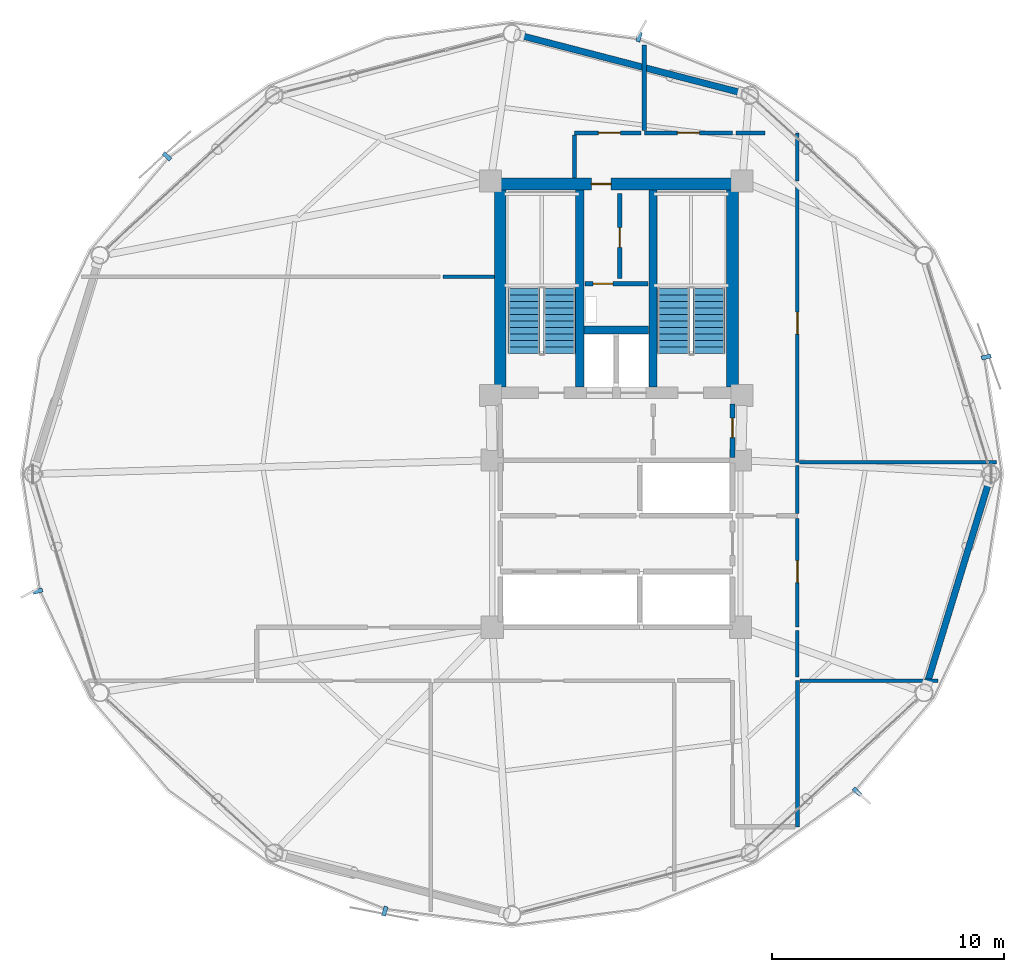
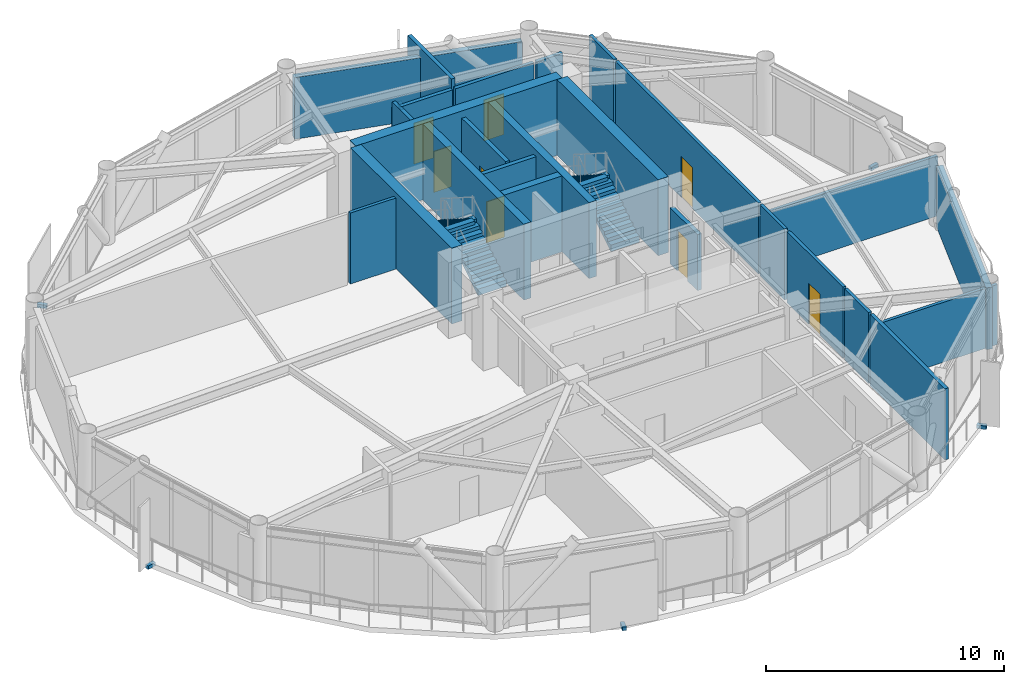
# One storey, part 22 of 25: 25 walls, 8 doors, 6 discrete accessories, 4 stair flights, 8 openings, 2 elements without a shape of their own.
"""IFC4 building model written with IfcOpenShell, lengths in metres."""

from ifc_helpers import new_model, si_unit, direction, frame, frame_2d, origin, origin_2d, place, context, subcontext, project, spatial, polyline, rectangle, outline, extrude, source, transform, mapped, material, layer, layer_set, type_object, type_shapes, element, fill, aggregate, save


model = new_model("IFC4")

# Units and contexts
model_context = context("Model", 3, precision=1e-05, world=origin(), true_north=direction((0.0, 1.0)))
body_context = subcontext(model_context, "Body", "Model", "MODEL_VIEW")
ifc_project = project(units=[si_unit("LENGTHUNIT", "METRE"), si_unit("AREAUNIT", "SQUARE_METRE"), si_unit("VOLUMEUNIT", "CUBIC_METRE"), si_unit("PLANEANGLEUNIT", "RADIAN"), si_unit("MASSUNIT", "GRAM", prefix="KILO")], contexts=[model_context])

# Site, building, storey
site_placement = place(None, origin())
site = spatial("IfcSite", under=ifc_project, at=site_placement, CompositionType="ELEMENT")
building_placement = place(site_placement, origin())
building = spatial("IfcBuilding", under=site, at=building_placement, Name="Varnakorn Sky Granary", CompositionType="ELEMENT")
storey_placement = place(building_placement, frame((0.0, 0.0, 157.800048828125)))
storey = spatial("IfcBuildingStorey", under=building, at=storey_placement, Name="L39", CompositionType="ELEMENT", Elevation=157.800048828125)

# Walls
ifc_material_1 = material(Name="Concrete C50/60", Category="concrete")
ifc_layer_1 = layer(ifc_material_1, 0.35009765625, Name="Concrete C50/60")
ifc_layer_set_1 = layer_set([ifc_layer_1], Name="Concrete C50/60")
wall_type_1 = type_object("IfcWallType", Name="WT-CW-INT-350", PredefinedType="SHEAR", material=ifc_layer_set_1)
for number, where, z_axis, x_axis, name in (
    (1, (1.419921875, 3.760009765625, 0.0), (0.0, 0.0, 1.0), (0.0, 1.0, 0.0), "Stair ST-1 Core Wall L39"),
    (2, (4.580078125, 3.760009765625, 0.0), (0.0, 0.0, 1.0), (0.0, 1.0, 0.0), "Stair ST-2 Core Wall L39"),
):
    element("IfcWall", number, at=place(storey_placement, frame(where, z_axis=z_axis, x_axis=x_axis)), inside=storey, type_object=wall_type_1, Name=name, PredefinedType="SHEAR", context=body_context, shape_type="SweptSolid", body=[
        extrude(rectangle(XDim=8.47998046875, YDim=0.35009765625, at=frame_2d((4.239990234375, 0.0))), origin(), (0.0, 0.0, 1.0), 3.891845703125),
    ])
wall_1_placement = place(storey_placement, frame((1.610107421875, 6.199951171875, 0.0), z_axis=(0.0, 0.0, 1.0), x_axis=(1.0, 0.0, 0.0)))
element("IfcWall", 3, at=wall_1_placement, inside=storey, type_object=wall_type_1, Name="Core Lift Shaft Cross Wall L39", PredefinedType="SHEAR", context=body_context, shape_type="SweptSolid", body=[
    extrude(rectangle(XDim=2.77978515625, YDim=0.35009765625, at=frame_2d((1.389892578125, 0.0))), origin(), (0.0, 0.0, 1.0), 3.891845703125),
])

# Wall, opening, door
ifc_material_2 = material(Name="Concrete C60/75", Category="concrete")
ifc_layer_2 = layer(ifc_material_2, 0.5, Name="Concrete C60/75")
ifc_layer_set_2 = layer_set([ifc_layer_2], Name="Concrete C60/75")
wall_type_2 = type_object("IfcWallType", Name="WT-CW-SHEAR-500", PredefinedType="SHEAR", material=ifc_layer_set_2)
wall_2_placement = place(storey_placement, frame((-2.0, 12.5, 0.0), z_axis=(0.0, 0.0, 1.0), x_axis=(1.0, 0.0, 0.0)))
wall_2 = element("IfcWall", 4, at=wall_2_placement, inside=storey, type_object=wall_type_2, Name="Core North Shear Wall L39", PredefinedType="SHEAR", context=body_context, shape_type="SweptSolid", body=[
    extrude(rectangle(XDim=10.0, YDim=0.5, at=frame_2d((5.0, 0.0))), origin(), (0.0, 0.0, 1.0), 3.891845703125),
])
opening_1_placement = place(wall_2_placement, frame((3.919921875, 0.0, 0.0)))
opening_1 = element("IfcOpeningElement", 5, at=opening_1_placement, cuts=wall_2, Name="Opening FD-60N", PredefinedType="OPENING", context=body_context, shape_type="SweptSolid", body=[
    extrude(rectangle(XDim=0.85009765625, YDim=2.10009765625, at=frame_2d((0.425048828125, 1.050048828125))), frame((0.0, 0.260009765625, 0.0), z_axis=(0.0, -1.0, 0.0), x_axis=(1.0, 0.0, 0.0)), (0.0, 0.0, 1.0), 0.52001953125),
])
ifc_material_3 = material(Name="Acoustic Timber Fire Leaf", Category="wood")
door_type_1 = type_object("IfcDoorType", Name="DR-FD60-850", OperationType="NOTDEFINED", PredefinedType="DOOR", material=ifc_material_3)
door_1_placement = place(opening_1_placement, origin())
door_1 = element("IfcDoor", 6, at=door_1_placement, inside=storey, type_object=door_type_1, Name="Core North Service Door L39", OperationType="SINGLE_SWING_LEFT", OverallHeight=2.10009765625, OverallWidth=0.85009765625, PredefinedType="DOOR", context=body_context, shape_type="SweptSolid", body=[
    extrude(rectangle(XDim=0.85009765625, YDim=2.10009765625, at=frame_2d((0.425048828125, 1.050048828125))), frame((0.0, 0.02490234375, 0.0), z_axis=(0.0, -1.0, 0.0), x_axis=(1.0, 0.0, 0.0)), (0.0, 0.0, 1.0), 0.050048828125),
])
fill(opening_1, door_1)

# Walls
for number, where, z_axis, x_axis, name in (
    (7, (-2.0, 3.760009765625, 0.0), (0.0, 0.0, 1.0), (0.0, 1.0, 0.0), "Core West Shear Wall L39"),
    (8, (8.0, 3.760009765625, 0.0), (0.0, 0.0, 1.0), (0.0, 1.0, 0.0), "Core East Shear Wall L39"),
):
    element("IfcWall", number, at=place(storey_placement, frame(where, z_axis=z_axis, x_axis=x_axis)), inside=storey, type_object=wall_type_2, Name=name, PredefinedType="SHEAR", context=body_context, shape_type="SweptSolid", body=[
        extrude(rectangle(XDim=8.47998046875, YDim=0.5, at=frame_2d((4.239990234375, 0.0))), origin(), (0.0, 0.0, 1.0), 3.891845703125),
    ])
ifc_material_4 = material(Name="Precast concrete C40/50", Category="concrete")
ifc_layer_3 = layer(ifc_material_4, 0.280029296875, Name="Precast concrete C40/50")
ifc_layer_set_3 = layer_set([ifc_layer_3], Name="Precast concrete C40/50")
wall_type_3 = type_object("IfcWallType", Name="WT-EW-CRN-280", PredefinedType="SOLIDWALL", material=ifc_layer_set_3)
wall_3_placement = place(storey_placement, frame((-1.1748046875, 18.90869140625, 0.0), z_axis=(0.0, 0.0, 1.0), x_axis=(0.967949740491, -0.251143982374, 0.0)))
element("IfcWall", 9, at=wall_3_placement, inside=storey, type_object=wall_type_3, Name="Agritech Insulated Precast Facade Wall L39-P03", PredefinedType="SOLIDWALL", context=body_context, shape_type="SweptSolid", body=[
    extrude(rectangle(XDim=9.92529296875, YDim=0.280029296875, at=frame_2d((4.962646484375, 0.0))), origin(), (0.0, 0.0, 1.0), 3.159912109375),
])
wall_4_placement = place(storey_placement, frame((19.0517578125, -0.3212890625, 0.0), z_axis=(0.0, 0.0, 1.0), x_axis=(-0.292446025951, -0.956282030525, 0.0)))
element("IfcWall", 10, at=wall_4_placement, inside=storey, type_object=wall_type_3, Name="Agritech Insulated Precast Facade Wall L39-P12", PredefinedType="SOLIDWALL", context=body_context, shape_type="SweptSolid", body=[
    extrude(rectangle(XDim=9.18798828125, YDim=0.280029296875, at=frame_2d((4.593994140625, 0.0))), origin(), (0.0, 0.0, 1.0), 3.159912109375),
])

# Wall, opening, door
ifc_material_5 = material(Name="Autoclaved Aerated Concrete Blockwork", Category="masonry")
ifc_layer_4 = layer(ifc_material_5, 0.199951171875, Name="Autoclaved Aerated Concrete Blockwork")
ifc_layer_set_4 = layer_set([ifc_layer_4], Name="Autoclaved Aerated Concrete Blockwork")
wall_type_4 = type_object("IfcWallType", Name="WT-FIRE-200", PredefinedType="MOVABLE", material=ifc_layer_set_4)
wall_5_placement = place(storey_placement, frame((1.64990234375, 8.199951171875, 0.0), z_axis=(0.0, 0.0, 1.0), x_axis=(1.0, 0.0, 0.0)))
wall_5 = element("IfcWall", 11, at=wall_5_placement, inside=storey, type_object=wall_type_4, Name="Interior Partition Wall L39-013", PredefinedType="MOVABLE", context=body_context, shape_type="SweptSolid", body=[
    extrude(rectangle(XDim=2.7001953125, YDim=0.199951171875, at=frame_2d((1.35009765625, 0.0))), origin(), (0.0, 0.0, 1.0), 3.639892578125),
])
opening_2_placement = place(wall_5_placement, frame((0.35009765625, 0.0, 0.0)))
opening_2 = element("IfcOpeningElement", 12, at=opening_2_placement, cuts=wall_5, Name="Opening FD-60N", PredefinedType="OPENING", context=body_context, shape_type="SweptSolid", body=[
    extrude(rectangle(XDim=0.85009765625, YDim=2.10009765625, at=frame_2d((0.425048828125, 1.050048828125))), frame((0.0, 0.10986328125, 0.0), z_axis=(0.0, -1.0, 0.0), x_axis=(1.0, 0.0, 0.0)), (0.0, 0.0, 1.0), 0.219970703125),
])
door_2_placement = place(opening_2_placement, origin())
door_2 = element("IfcDoor", 13, at=door_2_placement, inside=storey, type_object=door_type_1, Name="Interior Door L39-013-1", OperationType="SINGLE_SWING_RIGHT", OverallHeight=2.10009765625, OverallWidth=0.85009765625, PredefinedType="DOOR", context=body_context, shape_type="SweptSolid", body=[
    extrude(rectangle(XDim=0.85009765625, YDim=2.10009765625, at=frame_2d((0.425048828125, 1.050048828125))), frame((0.0, 0.02490234375, 0.0), z_axis=(0.0, -1.0, 0.0), x_axis=(1.0, 0.0, 0.0)), (0.0, 0.0, 1.0), 0.050048828125),
])
fill(opening_2, door_2)

wall_6_placement = place(storey_placement, frame((3.14990234375, 8.429931640625, 0.0), z_axis=(0.0, 0.0, 1.0), x_axis=(0.0, 1.0, 0.0)))
wall_6 = element("IfcWall", 14, at=wall_6_placement, inside=storey, type_object=wall_type_4, Name="Interior Partition Wall L39-014", PredefinedType="MOVABLE", context=body_context, shape_type="SweptSolid", body=[
    extrude(rectangle(XDim=3.670166015625, YDim=0.199951171875, at=frame_2d((1.8349609375, 0.0))), origin(), (0.0, 0.0, 1.0), 3.639892578125),
])
opening_3_placement = place(wall_6_placement, frame((1.340087890625, 0.0, 0.0)))
opening_3 = element("IfcOpeningElement", 15, at=opening_3_placement, cuts=wall_6, Name="Opening FD-60N", PredefinedType="OPENING", context=body_context, shape_type="SweptSolid", body=[
    extrude(rectangle(XDim=0.85009765625, YDim=2.10009765625, at=frame_2d((0.425048828125, 1.050048828125))), frame((0.0, 0.10986328125, 0.0), z_axis=(0.0, -1.0, 0.0), x_axis=(1.0, 0.0, 0.0)), (0.0, 0.0, 1.0), 0.219970703125),
])
door_3_placement = place(opening_3_placement, origin())
door_3 = element("IfcDoor", 16, at=door_3_placement, inside=storey, type_object=door_type_1, Name="Interior Door L39-014-1", OperationType="SINGLE_SWING_LEFT", OverallHeight=2.10009765625, OverallWidth=0.85009765625, PredefinedType="DOOR", context=body_context, shape_type="SweptSolid", body=[
    extrude(rectangle(XDim=0.85009765625, YDim=2.10009765625, at=frame_2d((0.425048828125, 1.050048828125))), frame((0.0, 0.02490234375, 0.0), z_axis=(0.0, -1.0, 0.0), x_axis=(1.0, 0.0, 0.0)), (0.0, 0.0, 1.0), 0.050048828125),
])
fill(opening_3, door_3)

wall_7_placement = place(storey_placement, frame((8.0, 0.719970703125, 0.0), z_axis=(0.0, 0.0, 1.0), x_axis=(0.0, 1.0, 0.0)))
wall_7 = element("IfcWall", 17, at=wall_7_placement, inside=storey, type_object=wall_type_4, Name="Interior Partition Wall L39-016", PredefinedType="MOVABLE", context=body_context, shape_type="SweptSolid", body=[
    extrude(rectangle(XDim=2.300048828125, YDim=0.199951171875, at=frame_2d((1.14990234375, 0.0))), origin(), (0.0, 0.0, 1.0), 2.8720703125),
])
opening_4_placement = place(wall_7_placement, frame((0.844970703125, 0.0, 0.0)))
opening_4 = element("IfcOpeningElement", 18, at=opening_4_placement, cuts=wall_7, Name="Opening FD-60N", PredefinedType="OPENING", context=body_context, shape_type="SweptSolid", body=[
    extrude(rectangle(XDim=0.85009765625, YDim=2.10009765625, at=frame_2d((0.425048828125, 1.050048828125))), frame((0.0, 0.10986328125, 0.0), z_axis=(0.0, -1.0, 0.0), x_axis=(1.0, 0.0, 0.0)), (0.0, 0.0, 1.0), 0.219970703125),
])
door_4_placement = place(opening_4_placement, origin())
door_4 = element("IfcDoor", 19, at=door_4_placement, inside=storey, type_object=door_type_1, Name="Interior Door L39-016-1", OperationType="SINGLE_SWING_LEFT", OverallHeight=2.10009765625, OverallWidth=0.85009765625, PredefinedType="DOOR", context=body_context, shape_type="SweptSolid", body=[
    extrude(rectangle(XDim=0.85009765625, YDim=2.10009765625, at=frame_2d((0.425048828125, 1.050048828125))), frame((0.0, 0.02490234375, 0.0), z_axis=(0.0, -1.0, 0.0), x_axis=(1.0, 0.0, 0.0)), (0.0, 0.0, 1.0), 0.050048828125),
])
fill(opening_4, door_4)

ifc_material_6 = material(Name="Gypsum Plasterboard on Steel Stud", Category="steel")
ifc_layer_5 = layer(ifc_material_6, 0.14990234375, Name="Gypsum Plasterboard on Steel Stud")
ifc_layer_set_5 = layer_set([ifc_layer_5], Name="Gypsum Plasterboard on Steel Stud")
wall_type_5 = type_object("IfcWallType", Name="WT-PART-150", PredefinedType="PARTITIONING", material=ifc_layer_set_5)
wall_8_placement = place(storey_placement, frame((10.800048828125, -6.60009765625, 0.0), z_axis=(0.0, 0.0, 1.0), x_axis=(0.0, 1.0, 0.0)))
wall_8 = element("IfcWall", 20, at=wall_8_placement, inside=storey, type_object=wall_type_5, Name="Interior Partition Wall L39-026", PredefinedType="PARTITIONING", context=body_context, shape_type="SweptSolid", body=[
    extrude(rectangle(XDim=4.690185546875, YDim=0.14990234375, at=frame_2d((2.34521484375, 0.0))), origin(), (0.0, 0.0, 1.0), 3.639892578125),
])
opening_5_placement = place(wall_8_placement, frame((1.925048828125, 0.0, 0.0)))
opening_5 = element("IfcOpeningElement", 21, at=opening_5_placement, cuts=wall_8, Name="Opening ID-95", PredefinedType="OPENING", context=body_context, shape_type="SweptSolid", body=[
    extrude(rectangle(XDim=0.949951171875, YDim=2.10009765625, at=frame_2d((0.47509765625, 1.050048828125))), frame((0.0, 0.0849609375, 0.0), z_axis=(0.0, -1.0, 0.0), x_axis=(1.0, 0.0, 0.0)), (0.0, 0.0, 1.0), 0.169921875),
])
ifc_material_7 = material(Name="Solid-Core Teak Veneer Leaf", Category="timber")
door_type_2 = type_object("IfcDoorType", Name="DR-INT-950", OperationType="NOTDEFINED", PredefinedType="DOOR", material=ifc_material_7)
door_5_placement = place(opening_5_placement, origin())
door_5 = element("IfcDoor", 22, at=door_5_placement, inside=storey, type_object=door_type_2, Name="Interior Door L39-026-1", OperationType="SINGLE_SWING_LEFT", OverallHeight=2.10009765625, OverallWidth=0.949951171875, PredefinedType="DOOR", context=body_context, shape_type="SweptSolid", body=[
    extrude(rectangle(XDim=0.949951171875, YDim=2.10009765625, at=frame_2d((0.47509765625, 1.050048828125))), frame((0.0, 0.02490234375, 0.0), z_axis=(0.0, -1.0, 0.0), x_axis=(1.0, 0.0, 0.0)), (0.0, 0.0, 1.0), 0.050048828125),
])
fill(opening_5, door_5)

wall_9_placement = place(storey_placement, frame((10.800048828125, 0.5, 0.0), z_axis=(0.0, 0.0, 1.0), x_axis=(0.0, 1.0, 0.0)))
wall_9 = element("IfcWall", 23, at=wall_9_placement, inside=storey, type_object=wall_type_5, Name="Interior Partition Wall L39-027", PredefinedType="PARTITIONING", context=body_context, shape_type="SweptSolid", body=[
    extrude(rectangle(XDim=12.0, YDim=0.14990234375, at=frame_2d((6.0, 0.0))), origin(), (0.0, 0.0, 1.0), 3.639892578125),
])
opening_6_placement = place(wall_9_placement, frame((5.52490234375, 0.0, 0.0)))
opening_6 = element("IfcOpeningElement", 24, at=opening_6_placement, cuts=wall_9, Name="Opening ID-95", PredefinedType="OPENING", context=body_context, shape_type="SweptSolid", body=[
    extrude(rectangle(XDim=0.949951171875, YDim=2.10009765625, at=frame_2d((0.47509765625, 1.050048828125))), frame((0.0, 0.0849609375, 0.0), z_axis=(0.0, -1.0, 0.0), x_axis=(1.0, 0.0, 0.0)), (0.0, 0.0, 1.0), 0.169921875),
])
door_6_placement = place(opening_6_placement, origin())
door_6 = element("IfcDoor", 25, at=door_6_placement, inside=storey, type_object=door_type_2, Name="Interior Door L39-027-1", OperationType="SINGLE_SWING_RIGHT", OverallHeight=2.10009765625, OverallWidth=0.949951171875, PredefinedType="DOOR", context=body_context, shape_type="SweptSolid", body=[
    extrude(rectangle(XDim=0.949951171875, YDim=2.10009765625, at=frame_2d((0.47509765625, 1.050048828125))), frame((0.0, 0.02490234375, 0.0), z_axis=(0.0, -1.0, 0.0), x_axis=(1.0, 0.0, 0.0)), (0.0, 0.0, 1.0), 0.050048828125),
])
fill(opening_6, door_6)

# Walls
wall_10_placement = place(storey_placement, frame((10.89990234375, -8.89990234375, 0.0), z_axis=(0.0, 0.0, 1.0), x_axis=(1.0, 0.0, 0.0)))
element("IfcWall", 26, at=wall_10_placement, inside=storey, type_object=wall_type_5, Name="Interior Partition Wall L39-040", PredefinedType="PARTITIONING", context=body_context, shape_type="SweptSolid", body=[
    extrude(rectangle(XDim=5.95703125, YDim=0.14990234375, at=frame_2d((2.978515625, 0.0))), origin(), (0.0, 0.0, 1.0), 3.072021484375),
])
wall_11_placement = place(storey_placement, frame((-4.465087890625, 8.5, 0.0), z_axis=(0.0, 0.0, 1.0), x_axis=(1.0, 0.0, 0.0)))
element("IfcWall", 27, at=wall_11_placement, inside=storey, type_object=wall_type_5, Name="Interior Partition Wall L39-043", PredefinedType="PARTITIONING", context=body_context, shape_type="SweptSolid", body=[
    extrude(rectangle(XDim=2.205078125, YDim=0.14990234375, at=frame_2d((1.1025390625, 0.0))), origin(), (0.0, 0.0, 1.0), 3.639892578125),
])
wall_12_placement = place(storey_placement, frame((10.800048828125, -8.75, 0.0), z_axis=(0.0, 0.0, 1.0), x_axis=(0.0, 1.0, 0.0)))
element("IfcWall", 28, at=wall_12_placement, inside=storey, type_object=wall_type_5, Name="Interior Partition Wall L39-046", PredefinedType="PARTITIONING", context=body_context, shape_type="SweptSolid", body=[
    extrude(rectangle(XDim=2.014892578125, YDim=0.14990234375, at=frame_2d((1.00732421875, 0.0))), origin(), (0.0, 0.0, 1.0), 3.639892578125),
])
wall_13_placement = place(storey_placement, frame((10.800048828125, -1.68994140625, 0.0), z_axis=(0.0, 0.0, 1.0), x_axis=(0.0, 1.0, 0.0)))
element("IfcWall", 29, at=wall_13_placement, inside=storey, type_object=wall_type_5, Name="Interior Partition Wall L39-047", PredefinedType="PARTITIONING", context=body_context, shape_type="SweptSolid", body=[
    extrude(rectangle(XDim=2.054931640625, YDim=0.14990234375, at=frame_2d((1.02734375, 0.0))), origin(), (0.0, 0.0, 1.0), 3.639892578125),
])
wall_14_placement = place(storey_placement, frame((10.885009765625, 0.5, 0.0), z_axis=(0.0, 0.0, 1.0), x_axis=(1.0, 0.0, 0.0)))
element("IfcWall", 30, at=wall_14_placement, inside=storey, type_object=wall_type_5, Name="Interior Partition Wall L39-048", PredefinedType="PARTITIONING", context=body_context, shape_type="SweptSolid", body=[
    extrude(rectangle(XDim=8.4990234375, YDim=0.14990234375, at=frame_2d((4.24951171875, 0.0))), origin(), (0.0, 0.0, 1.0), 3.072021484375),
])
wall_15_placement = place(storey_placement, frame((10.800048828125, 12.635009765625, 0.0), z_axis=(0.0, 0.0, 1.0), x_axis=(0.0, 1.0, 0.0)))
element("IfcWall", 31, at=wall_15_placement, inside=storey, type_object=wall_type_5, Name="Interior Partition Wall L39-049", PredefinedType="PARTITIONING", context=body_context, shape_type="SweptSolid", body=[
    extrude(rectangle(XDim=2.06494140625, YDim=0.14990234375, at=frame_2d((1.032470703125, 0.0))), origin(), (0.0, 0.0, 1.0), 3.639892578125),
])

# Wall, opening, door
ifc_material_8 = material(Name="Moisture-Resistant Gypsum on Stud", Category="gypsum")
ifc_layer_6 = layer(ifc_material_8, 0.179931640625, Name="Moisture-Resistant Gypsum on Stud")
ifc_layer_set_6 = layer_set([ifc_layer_6], Name="Moisture-Resistant Gypsum on Stud")
wall_type_6 = type_object("IfcWallType", Name="WT-PLUMB-180", PredefinedType="PLUMBINGWALL", material=ifc_layer_set_6)
wall_16_placement = place(storey_placement, frame((8.0, 14.699951171875, 0.0), z_axis=(0.0, 0.0, 1.0), x_axis=(-1.0, 0.0, 0.0)))
wall_16 = element("IfcWall", 32, at=wall_16_placement, inside=storey, type_object=wall_type_6, Name="Interior Partition Wall L39-020", PredefinedType="PLUMBINGWALL", context=body_context, shape_type="SweptSolid", body=[
    extrude(rectangle(XDim=3.800048828125, YDim=0.179931640625, at=frame_2d((1.89990234375, 0.0))), origin(), (0.0, 0.0, 1.0), 3.221923828125),
])
opening_7_placement = place(wall_16_placement, frame((1.425048828125, 0.0, 0.0)))
opening_7 = element("IfcOpeningElement", 33, at=opening_7_placement, cuts=wall_16, Name="Opening ID-95", PredefinedType="OPENING", context=body_context, shape_type="SweptSolid", body=[
    extrude(rectangle(XDim=0.949951171875, YDim=2.10009765625, at=frame_2d((0.47509765625, 1.050048828125))), frame((0.0, 0.10009765625, 0.0), z_axis=(0.0, -1.0, 0.0), x_axis=(1.0, 0.0, 0.0)), (0.0, 0.0, 1.0), 0.199951171875),
])
door_7_placement = place(opening_7_placement, origin())
door_7 = element("IfcDoor", 34, at=door_7_placement, inside=storey, type_object=door_type_2, Name="Interior Door L39-020-1", OperationType="SINGLE_SWING_LEFT", OverallHeight=2.10009765625, OverallWidth=0.949951171875, PredefinedType="DOOR", context=body_context, shape_type="SweptSolid", body=[
    extrude(rectangle(XDim=0.949951171875, YDim=2.10009765625, at=frame_2d((0.47509765625, 1.050048828125))), frame((0.0, 0.02490234375, 0.0), z_axis=(0.0, -1.0, 0.0), x_axis=(1.0, 0.0, 0.0)), (0.0, 0.0, 1.0), 0.050048828125),
])
fill(opening_7, door_7)

wall_17_placement = place(storey_placement, frame((4.050048828125, 14.699951171875, 0.0), z_axis=(0.0, 0.0, 1.0), x_axis=(-1.0, 0.0, 0.0)))
wall_17 = element("IfcWall", 35, at=wall_17_placement, inside=storey, type_object=wall_type_6, Name="Interior Partition Wall L39-025", PredefinedType="PLUMBINGWALL", context=body_context, shape_type="SweptSolid", body=[
    extrude(rectangle(XDim=2.85009765625, YDim=0.179931640625, at=frame_2d((1.425048828125, 0.0))), origin(), (0.0, 0.0, 1.0), 3.221923828125),
])
opening_8_placement = place(wall_17_placement, frame((0.875, 0.0, 0.0)))
opening_8 = element("IfcOpeningElement", 36, at=opening_8_placement, cuts=wall_17, Name="Opening ID-95", PredefinedType="OPENING", context=body_context, shape_type="SweptSolid", body=[
    extrude(rectangle(XDim=0.949951171875, YDim=2.10009765625, at=frame_2d((0.47509765625, 1.050048828125))), frame((0.0, 0.10009765625, 0.0), z_axis=(0.0, -1.0, 0.0), x_axis=(1.0, 0.0, 0.0)), (0.0, 0.0, 1.0), 0.199951171875),
])
door_8_placement = place(opening_8_placement, origin())
door_8 = element("IfcDoor", 37, at=door_8_placement, inside=storey, type_object=door_type_2, Name="Interior Door L39-025-1", OperationType="SINGLE_SWING_RIGHT", OverallHeight=2.10009765625, OverallWidth=0.949951171875, PredefinedType="DOOR", context=body_context, shape_type="SweptSolid", body=[
    extrude(rectangle(XDim=0.949951171875, YDim=2.10009765625, at=frame_2d((0.47509765625, 1.050048828125))), frame((0.0, 0.02490234375, 0.0), z_axis=(0.0, -1.0, 0.0), x_axis=(1.0, 0.0, 0.0)), (0.0, 0.0, 1.0), 0.050048828125),
])
fill(opening_8, door_8)

# Walls
wall_18_placement = place(storey_placement, frame((9.39990234375, 14.699951171875, 0.0), z_axis=(0.0, 0.0, 1.0), x_axis=(-1.0, 0.0, 0.0)))
element("IfcWall", 38, at=wall_18_placement, inside=storey, type_object=wall_type_6, Name="Interior Partition Wall L39-032", PredefinedType="PLUMBINGWALL", context=body_context, shape_type="SweptSolid", body=[
    extrude(rectangle(XDim=1.25, YDim=0.179931640625, at=frame_2d((0.625, 0.0))), origin(), (0.0, 0.0, 1.0), 3.221923828125),
])
wall_19_placement = place(storey_placement, frame((10.800048828125, -15.199951171875, 0.0), z_axis=(0.0, 0.0, 1.0), x_axis=(0.0, 1.0, 0.0)))
element("IfcWall", 39, at=wall_19_placement, inside=storey, type_object=wall_type_6, Name="Interior Partition Wall L39-037", PredefinedType="PLUMBINGWALL", context=body_context, shape_type="SweptSolid", body=[
    extrude(rectangle(XDim=6.300048828125, YDim=0.179931640625, at=frame_2d((3.14990234375, 0.0))), origin(), (0.0, 0.0, 1.0), 3.639892578125),
])
wall_20_placement = place(storey_placement, frame((1.199951171875, 14.60009765625, 0.0), z_axis=(0.0, 0.0, 1.0), x_axis=(0.0, -1.0, 0.0)))
element("IfcWall", 40, at=wall_20_placement, inside=storey, type_object=wall_type_6, Name="Interior Partition Wall L39-044", PredefinedType="PLUMBINGWALL", context=body_context, shape_type="SweptSolid", body=[
    extrude(rectangle(XDim=1.840087890625, YDim=0.179931640625, at=frame_2d((0.919921875, 0.0))), origin(), (0.0, 0.0, 1.0), 3.639892578125),
])
wall_21_placement = place(storey_placement, frame((4.199951171875, 18.487060546875, 0.0), z_axis=(0.0, 0.0, 1.0), x_axis=(0.0, -1.0, 0.0)))
element("IfcWall", 41, at=wall_21_placement, inside=storey, type_object=wall_type_6, Name="Interior Partition Wall L39-045", PredefinedType="PLUMBINGWALL", context=body_context, shape_type="SweptSolid", body=[
    extrude(rectangle(XDim=3.68701171875, YDim=0.179931640625, at=frame_2d((1.843505859375, 0.0))), origin(), (0.0, 0.0, 1.0), 3.639892578125),
])

# Stair, stair flights
ifc_material_9 = material(Name="Concrete C40/50", Category="concrete")
stair_type = type_object("IfcStairType", Name="ST-MAIN-ASSEMBLY", PredefinedType="HALF_TURN_STAIR", material=ifc_material_9)
stair_1_placement = place(storey_placement, origin())
stair_1 = element("IfcStair", 42, at=stair_1_placement, inside=storey, type_object=stair_type, Name="L39 Protected Exit Stair ST-1", PredefinedType="HALF_TURN_STAIR")
stair_flight_type = type_object("IfcStairFlightType", Name="ST-MAIN-FLIGHT", PredefinedType="STRAIGHT", material=ifc_material_9)
stair_flight_1_placement = place(storey_placement, frame((0.550048828125, 5.199951171875, 0.0), z_axis=(0.0, 0.0, 1.0), x_axis=(0.0, 1.0, 0.0)))
stair_flight_1 = element("IfcStairFlight", 43, at=stair_flight_1_placement, type_object=stair_flight_type, Name="ST-1 flight 1", NumberOfRisers=11, NumberOfTreads=10, PredefinedType="STRAIGHT", RiserHeight=0.177272727, TreadLength=0.28, context=body_context, shape_type="SweptSolid", body=[
    extrude(outline(polyline([(0.0, -0.14990234375), (0.0, 0.0), (0.0, 0.17724609375), (0.280029296875, 0.17724609375), (0.280029296875, 0.3544921875), (0.56005859375, 0.3544921875), (0.56005859375, 0.53173828125), (0.840087890625, 0.53173828125), (0.840087890625, 0.708984375), (1.1201171875, 0.708984375), (1.1201171875, 0.886474609375), (1.39990234375, 0.886474609375), (1.39990234375, 1.063720703125), (1.679931640625, 1.063720703125), (1.679931640625, 1.240966796875), (1.9599609375, 1.240966796875), (1.9599609375, 1.418212890625), (2.239990234375, 1.418212890625), (2.239990234375, 1.595458984375), (2.52001953125, 1.595458984375), (2.52001953125, 1.772705078125), (2.800048828125, 1.772705078125), (2.800048828125, 1.949951171875), (2.800048828125, 1.59521484375), (0.050048828125, -0.14990234375), (0.0, -0.14990234375)])), frame((0.0, 0.68994140625, 0.0), z_axis=(0.0, -1.0, 0.0), x_axis=(1.0, 0.0, 0.0)), (0.0, 0.0, 1.0), 1.3798828125),
])
stair_flight_2_placement = place(storey_placement, frame((-0.97998046875, 8.0, 1.949951171875), z_axis=(0.0, 0.0, 1.0), x_axis=(0.0, -1.0, 0.0)))
stair_flight_2 = element("IfcStairFlight", 44, at=stair_flight_2_placement, type_object=stair_flight_type, Name="ST-1 flight 2", NumberOfRisers=11, NumberOfTreads=10, PredefinedType="STRAIGHT", RiserHeight=0.177272727, TreadLength=0.28, context=body_context, shape_type="SweptSolid", body=[
    extrude(outline(polyline([(0.0, -0.14990234375), (0.0, 0.0), (0.0, 0.17724609375), (0.280029296875, 0.17724609375), (0.280029296875, 0.3544921875), (0.56005859375, 0.3544921875), (0.56005859375, 0.53173828125), (0.840087890625, 0.53173828125), (0.840087890625, 0.708984375), (1.1201171875, 0.708984375), (1.1201171875, 0.886474609375), (1.39990234375, 0.886474609375), (1.39990234375, 1.063720703125), (1.679931640625, 1.063720703125), (1.679931640625, 1.240966796875), (1.9599609375, 1.240966796875), (1.9599609375, 1.418212890625), (2.239990234375, 1.418212890625), (2.239990234375, 1.595458984375), (2.52001953125, 1.595458984375), (2.52001953125, 1.772705078125), (2.800048828125, 1.772705078125), (2.800048828125, 1.949951171875), (2.800048828125, 1.59521484375), (0.050048828125, -0.14990234375), (0.0, -0.14990234375)])), frame((0.0, 0.68994140625, 0.0), z_axis=(0.0, -1.0, 0.0), x_axis=(1.0, 0.0, 0.0)), (0.0, 0.0, 1.0), 1.3798828125),
])
aggregate(stair_1, [stair_flight_1, stair_flight_2])

stair_2_placement = place(storey_placement, origin())
stair_2 = element("IfcStair", 45, at=stair_2_placement, inside=storey, type_object=stair_type, Name="L39 Protected Exit Stair ST-2", PredefinedType="HALF_TURN_STAIR")
stair_flight_3_placement = place(storey_placement, frame((6.989990234375, 5.199951171875, 0.0), z_axis=(0.0, 0.0, 1.0), x_axis=(0.0, 1.0, 0.0)))
stair_flight_3 = element("IfcStairFlight", 46, at=stair_flight_3_placement, type_object=stair_flight_type, Name="ST-2 flight 1", NumberOfRisers=11, NumberOfTreads=10, PredefinedType="STRAIGHT", RiserHeight=0.177272727, TreadLength=0.28, context=body_context, shape_type="SweptSolid", body=[
    extrude(outline(polyline([(0.0, -0.14990234375), (0.0, 0.0), (0.0, 0.17724609375), (0.280029296875, 0.17724609375), (0.280029296875, 0.3544921875), (0.56005859375, 0.3544921875), (0.56005859375, 0.53173828125), (0.840087890625, 0.53173828125), (0.840087890625, 0.708984375), (1.1201171875, 0.708984375), (1.1201171875, 0.886474609375), (1.39990234375, 0.886474609375), (1.39990234375, 1.063720703125), (1.679931640625, 1.063720703125), (1.679931640625, 1.240966796875), (1.9599609375, 1.240966796875), (1.9599609375, 1.418212890625), (2.239990234375, 1.418212890625), (2.239990234375, 1.595458984375), (2.52001953125, 1.595458984375), (2.52001953125, 1.772705078125), (2.800048828125, 1.772705078125), (2.800048828125, 1.949951171875), (2.800048828125, 1.59521484375), (0.050048828125, -0.14990234375), (0.0, -0.14990234375)])), frame((0.0, 0.68994140625, 0.0), z_axis=(0.0, -1.0, 0.0), x_axis=(1.0, 0.0, 0.0)), (0.0, 0.0, 1.0), 1.3798828125),
])
stair_flight_4_placement = place(storey_placement, frame((5.4599609375, 8.0, 1.949951171875), z_axis=(0.0, 0.0, 1.0), x_axis=(0.0, -1.0, 0.0)))
stair_flight_4 = element("IfcStairFlight", 47, at=stair_flight_4_placement, type_object=stair_flight_type, Name="ST-2 flight 2", NumberOfRisers=11, NumberOfTreads=10, PredefinedType="STRAIGHT", RiserHeight=0.177272727, TreadLength=0.28, context=body_context, shape_type="SweptSolid", body=[
    extrude(outline(polyline([(0.0, -0.14990234375), (0.0, 0.0), (0.0, 0.17724609375), (0.280029296875, 0.17724609375), (0.280029296875, 0.3544921875), (0.56005859375, 0.3544921875), (0.56005859375, 0.53173828125), (0.840087890625, 0.53173828125), (0.840087890625, 0.708984375), (1.1201171875, 0.708984375), (1.1201171875, 0.886474609375), (1.39990234375, 0.886474609375), (1.39990234375, 1.063720703125), (1.679931640625, 1.063720703125), (1.679931640625, 1.240966796875), (1.9599609375, 1.240966796875), (1.9599609375, 1.418212890625), (2.239990234375, 1.418212890625), (2.239990234375, 1.595458984375), (2.52001953125, 1.595458984375), (2.52001953125, 1.772705078125), (2.800048828125, 1.772705078125), (2.800048828125, 1.949951171875), (2.800048828125, 1.59521484375), (0.050048828125, -0.14990234375), (0.0, -0.14990234375)])), frame((0.0, 0.68994140625, 0.0), z_axis=(0.0, -1.0, 0.0), x_axis=(1.0, 0.0, 0.0)), (0.0, 0.0, 1.0), 1.3798828125),
])
aggregate(stair_2, [stair_flight_3, stair_flight_4])

# Discrete accessories
ifc_material_10 = material(Name="Steel S355JR", Category="steel")
discrete_accessory_type = type_object("IfcDiscreteAccessoryType", Name="AC-BRK-01", PredefinedType="BRACKET", material=ifc_material_10)
shared_shape = source(origin(), body_context, "Body", "SweptSolid", [
    extrude(rectangle(XDim=0.179931640625, YDim=0.419921875, at=origin_2d()), origin(), (0.0, 0.0, 1.0), 0.179931640625),
])
type_shapes(discrete_accessory_type, [shared_shape])
for number, where, z_axis, x_axis, name in (
    (48, (18.934814453125, 5.044189453125, -0.2001953125), (0.0, 0.0, 1.0), (-0.239649598912, 0.970859449015, 0.0), "Facade Solar-Screen Outrigger Bracket L39-01"),
    (49, (3.977783203125, 18.8330078125, -0.2001953125), (0.0, 0.0, 1.0), (-0.960206978457, 0.279289381329, 0.0), "Facade Solar-Screen Outrigger Bracket L39-03"),
    (50, (-16.36669921875, 13.688232421875, -0.2001953125), (0.0, 0.0, 1.0), (-0.677344414899, -0.735666054406, 0.0), "Facade Solar-Screen Outrigger Bracket L39-05"),
    (51, (-21.934814453125, -5.044189453125, -0.2001953125), (0.0, 0.0, 1.0), (0.239649598912, -0.970859449015, 0.0), "Facade Solar-Screen Outrigger Bracket L39-07"),
    (52, (-6.977783203125, -18.8330078125, -0.2001953125), (0.0, 0.0, 1.0), (0.960206978457, -0.279289381329, 0.0), "Facade Solar-Screen Outrigger Bracket L39-09"),
    (53, (13.36669921875, -13.688232421875, -0.2001953125), (0.0, 0.0, 1.0), (0.677344414899, 0.735666054406, 0.0), "Facade Solar-Screen Outrigger Bracket L39-11"),
):
    element("IfcDiscreteAccessory", number, at=place(storey_placement, frame(where, z_axis=z_axis, x_axis=x_axis)), inside=storey, type_object=discrete_accessory_type, Name=name, PredefinedType="BRACKET", context=body_context, shape_type="MappedRepresentation", body=[
        mapped(shared_shape, transform((0.0, 0.0, 0.0), x_axis=(1.0, 0.0, 0.0), y_axis=(0.0, 1.0, 0.0), z_axis=(0.0, 0.0, 1.0), scale=1.0)),
    ])

save(model, "model.ifc")
